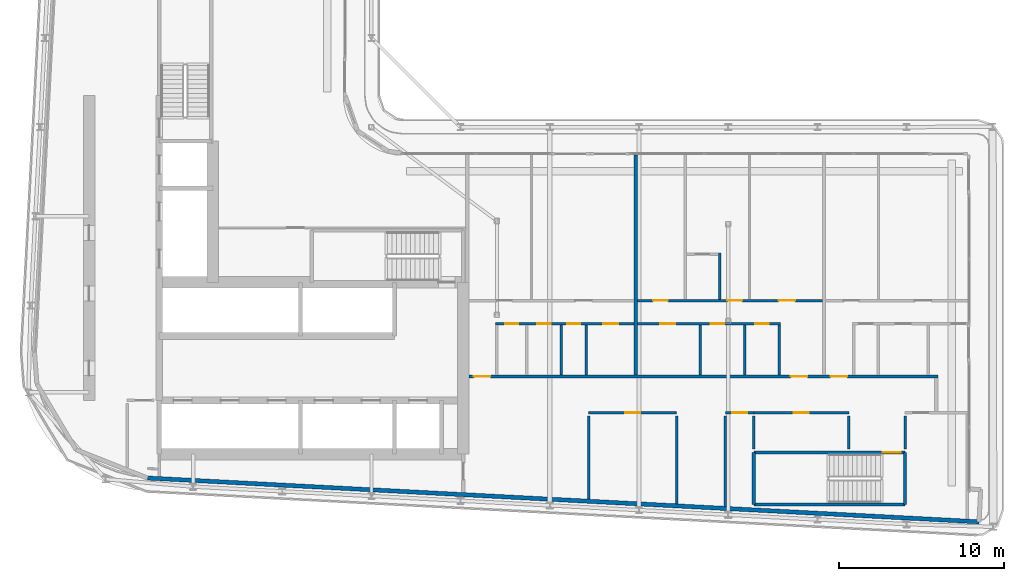
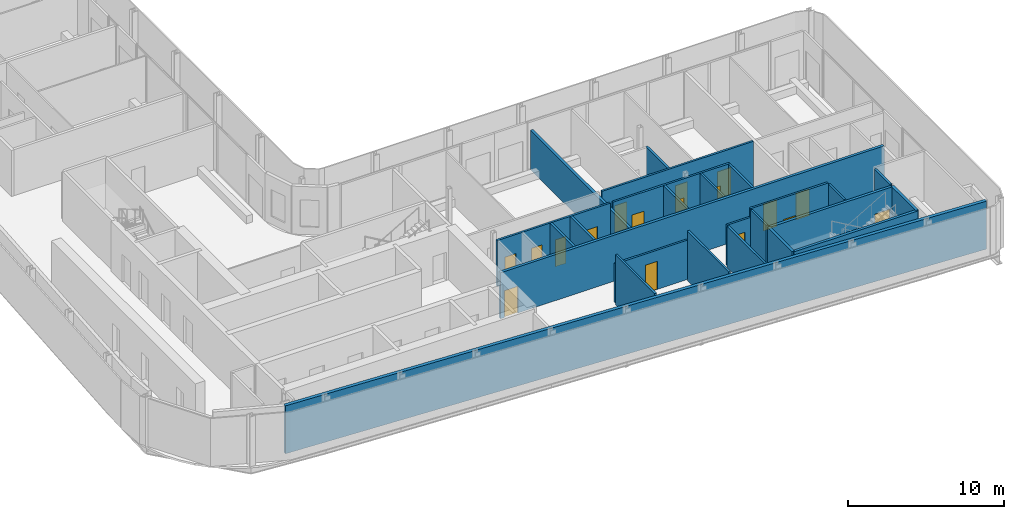
# One storey, part 12 of 23: 25 walls, 17 doors, 17 openings.
"""IFC4 building model written with IfcOpenShell, lengths in metres."""

from ifc_helpers import new_model, si_unit, direction, frame, frame_2d, origin, place, context, subcontext, project, spatial, rectangle, extrude, source, transform, mapped, material, layer, layer_set, type_object, element, fill, save


model = new_model("IFC4")

# Units and contexts
model_context = context("Model", 3, precision=1e-05, world=origin(), true_north=direction((0.0, 1.0)))
body_context = subcontext(model_context, "Body", "Model", "MODEL_VIEW")
ifc_project = project(units=[si_unit("LENGTHUNIT", "METRE"), si_unit("AREAUNIT", "SQUARE_METRE"), si_unit("VOLUMEUNIT", "CUBIC_METRE"), si_unit("PLANEANGLEUNIT", "RADIAN"), si_unit("MASSUNIT", "GRAM", prefix="KILO")], contexts=[model_context])

# Site, building, storey
site_placement = place(None, origin())
site = spatial("IfcSite", under=ifc_project, at=site_placement, CompositionType="ELEMENT")
building_placement = place(site_placement, origin())
building = spatial("IfcBuilding", under=site, at=building_placement, Name="Kheshtan School and Residences Tower", CompositionType="ELEMENT")
storey_placement = place(building_placement, frame((0.0, 0.0, 247.39990234375)))
storey = spatial("IfcBuildingStorey", under=building, at=storey_placement, Name="L58", CompositionType="ELEMENT", Elevation=247.39990234375)

# Wall, openings, doors
ifc_material_1 = material(Name="Gypsum board on steel studs with fire boards", Category="steel")
ifc_layer_1 = layer(ifc_material_1, 0.199951171875)
ifc_layer_set_1 = layer_set([ifc_layer_1], Name="Corridor wall 200")
wall_type_1 = type_object("IfcWallType", Name="Corridor wall 200", PredefinedType="PARTITIONING", material=ifc_layer_set_1)
wall_1_placement = place(storey_placement, frame((53.4990234375, 30.5, 0.0), z_axis=(0.0, 0.0, 1.0), x_axis=(1.0, 0.0, 0.0)))
wall_1 = element("IfcWall", 1, at=wall_1_placement, inside=storey, type_object=wall_type_1, Name="Partition L58-033", PredefinedType="PARTITIONING", context=body_context, shape_type="SweptSolid", body=[
    extrude(rectangle(XDim=28.40087890625, YDim=0.199951171875, at=frame_2d((14.200439453125, 0.0))), origin(), (0.0, 0.0, 1.0), 3.60009765625),
])
opening_1_placement = place(wall_1_placement, frame((0.301025390625, 0.0, 0.0)))
opening_1 = element("IfcOpeningElement", 2, at=opening_1_placement, cuts=wall_1, Name="Opening D58-003", PredefinedType="OPENING", context=body_context, shape_type="SweptSolid", body=[
    extrude(rectangle(XDim=1.0, YDim=2.10009765625, at=frame_2d((0.5, 1.050048828125))), frame((0.0, 0.10986328125, 0.0), z_axis=(0.0, -1.0, 0.0), x_axis=(1.0, 0.0, 0.0)), (0.0, 0.0, 1.0), 0.219970703125),
])
opening_2_placement = place(wall_1_placement, frame((19.5009765625, 0.0, 0.0)))
opening_2 = element("IfcOpeningElement", 3, at=opening_2_placement, cuts=wall_1, Name="Opening D58-011", PredefinedType="OPENING", context=body_context, shape_type="SweptSolid", body=[
    extrude(rectangle(XDim=1.0, YDim=2.10009765625, at=frame_2d((0.5, 1.050048828125))), frame((0.0, 0.10986328125, 0.0), z_axis=(0.0, -1.0, 0.0), x_axis=(1.0, 0.0, 0.0)), (0.0, 0.0, 1.0), 0.219970703125),
])
opening_3_placement = place(wall_1_placement, frame((21.90087890625, 0.0, 0.0)))
opening_3 = element("IfcOpeningElement", 4, at=opening_3_placement, cuts=wall_1, Name="Opening D58-018", PredefinedType="OPENING", context=body_context, shape_type="SweptSolid", body=[
    extrude(rectangle(XDim=1.0, YDim=2.10009765625, at=frame_2d((0.5, 1.050048828125))), frame((0.0, 0.10986328125, 0.0), z_axis=(0.0, -1.0, 0.0), x_axis=(1.0, 0.0, 0.0)), (0.0, 0.0, 1.0), 0.219970703125),
])
ifc_material_2 = material(Name="Steel-framed fire-resisting door leaf", Category="steel")
door_type_1 = type_object("IfcDoorType", Name="Fire door FD30S 1000 x 2100", OperationType="SINGLE_SWING_LEFT", PredefinedType="DOOR", material=ifc_material_2)
shared_shape_1 = source(origin(), body_context, "Body", "SweptSolid", [
    extrude(rectangle(XDim=1.0, YDim=2.10009765625, at=frame_2d((0.5, 1.050048828125))), frame((0.0, 0.02490234375, 0.0), z_axis=(0.0, -1.0, 0.0), x_axis=(1.0, 0.0, 0.0)), (0.0, 0.0, 1.0), 0.050048828125),
])
door_1_placement = place(opening_1_placement, origin())
door_1 = element("IfcDoor", 5, at=door_1_placement, inside=storey, type_object=door_type_1, Name="Door D58-003", OperationType="SINGLE_SWING_LEFT", OverallHeight=2.10009765625, OverallWidth=1.0, PredefinedType="DOOR", context=body_context, shape_type="MappedRepresentation", body=[
    mapped(shared_shape_1, transform((0.0, 0.0, 0.0), x_axis=(1.0, 0.0, 0.0), y_axis=(0.0, 1.0, 0.0), z_axis=(0.0, 0.0, 1.0), scale=1.0)),
])
fill(opening_1, door_1)
door_2_placement = place(opening_2_placement, origin())
door_2 = element("IfcDoor", 6, at=door_2_placement, inside=storey, type_object=door_type_1, Name="Door D58-011", OperationType="SINGLE_SWING_LEFT", OverallHeight=2.10009765625, OverallWidth=1.0, PredefinedType="DOOR", context=body_context, shape_type="MappedRepresentation", body=[
    mapped(shared_shape_1, transform((0.0, 0.0, 0.0), x_axis=(1.0, 0.0, 0.0), y_axis=(0.0, 1.0, 0.0), z_axis=(0.0, 0.0, 1.0), scale=1.0)),
])
fill(opening_2, door_2)
door_3_placement = place(opening_3_placement, origin())
door_3 = element("IfcDoor", 7, at=door_3_placement, inside=storey, type_object=door_type_1, Name="Door D58-018", OperationType="SINGLE_SWING_LEFT", OverallHeight=2.10009765625, OverallWidth=1.0, PredefinedType="DOOR", context=body_context, shape_type="MappedRepresentation", body=[
    mapped(shared_shape_1, transform((0.0, 0.0, 0.0), x_axis=(1.0, 0.0, 0.0), y_axis=(0.0, 1.0, 0.0), z_axis=(0.0, 0.0, 1.0), scale=1.0)),
])
fill(opening_3, door_3)

# Wall
ifc_material_3 = material(Name="Concrete C40/50 with ceramic cladding and mineral wool insulation", Category="concrete")
ifc_layer_2 = layer(ifc_material_3, 0.25)
ifc_layer_set_2 = layer_set([ifc_layer_2], Name="External wall 250 ceramic clad")
wall_type_2 = type_object("IfcWallType", Name="External wall 250 ceramic clad", PredefinedType="SOLIDWALL", material=ifc_layer_set_2)
wall_2_placement = place(storey_placement, frame((84.385986328125, 21.702880859375, 0.0), z_axis=(0.0, 0.0, 1.0), x_axis=(-0.998617508267, 0.05256493302, 0.0)))
element("IfcWall", 8, at=wall_2_placement, inside=storey, type_object=wall_type_2, Name="External wall L58 16", PredefinedType="SOLIDWALL", context=body_context, shape_type="SweptSolid", body=[
    extrude(rectangle(XDim=50.41650390625, YDim=0.25, at=frame_2d((25.208251953125, 0.0))), origin(), (0.0, 0.0, 1.0), 3.75),
])

# Wall, opening, door
ifc_material_4 = material(Name="Fire-board shaft wall system")
ifc_layer_3 = layer(ifc_material_4, 0.14990234375)
ifc_layer_set_3 = layer_set([ifc_layer_3], Name="Service room wall 150")
wall_type_3 = type_object("IfcWallType", Name="Service room wall 150", PredefinedType="PARTITIONING", material=ifc_layer_set_3)
wall_3_placement = place(storey_placement, frame((60.75, 28.300048828125, 0.0), z_axis=(0.0, 0.0, 1.0), x_axis=(1.0, 0.0, 0.0)))
wall_3 = element("IfcWall", 9, at=wall_3_placement, inside=storey, type_object=wall_type_3, Name="Service room wall", PredefinedType="PARTITIONING", context=body_context, shape_type="SweptSolid", body=[
    extrude(rectangle(XDim=5.323974609375, YDim=0.14990234375, at=frame_2d((2.662109375, 0.0))), origin(), (0.0, 0.0, 1.0), 3.072021484375),
])
opening_4_placement = place(wall_3_placement, frame((2.2119140625, 0.0, 0.0)))
opening_4 = element("IfcOpeningElement", 10, at=opening_4_placement, cuts=wall_3, Name="Opening SR90", PredefinedType="OPENING", context=body_context, shape_type="SweptSolid", body=[
    extrude(rectangle(XDim=0.89990234375, YDim=2.199951171875, at=frame_2d((0.449951171875, 1.10009765625))), frame((0.0, 0.0849609375, 0.0), z_axis=(0.0, -1.0, 0.0), x_axis=(1.0, 0.0, 0.0)), (0.0, 0.0, 1.0), 0.169921875),
])
ifc_material_5 = material(Name="Steel door leaf, galvanised", Category="steel")
door_type_2 = type_object("IfcDoorType", Name="Service room door 900 steel 90 min", OperationType="SINGLE_SWING_LEFT", PredefinedType="DOOR", material=ifc_material_5)
shared_shape_2 = source(origin(), body_context, "Body", "SweptSolid", [
    extrude(rectangle(XDim=0.89990234375, YDim=2.199951171875, at=frame_2d((0.449951171875, 1.10009765625))), frame((0.0, 0.02490234375, 0.0), z_axis=(0.0, -1.0, 0.0), x_axis=(1.0, 0.0, 0.0)), (0.0, 0.0, 1.0), 0.050048828125),
])
door_4_placement = place(opening_4_placement, origin())
door_4 = element("IfcDoor", 11, at=door_4_placement, inside=storey, type_object=door_type_2, Name="Service room door", OperationType="SINGLE_SWING_LEFT", OverallHeight=2.199951171875, OverallWidth=0.89990234375, PredefinedType="DOOR", context=body_context, shape_type="MappedRepresentation", body=[
    mapped(shared_shape_2, transform((0.0, 0.0, 0.0), x_axis=(1.0, 0.0, 0.0), y_axis=(0.0, 1.0, 0.0), z_axis=(0.0, 0.0, 1.0), scale=1.0)),
])
fill(opening_4, door_4)

# Walls
wall_4_placement = place(storey_placement, frame((60.75, 23.074951171875, 0.0), z_axis=(0.0, 0.0, 1.0), x_axis=(0.0, 1.0, 0.0)))
element("IfcWall", 12, at=wall_4_placement, inside=storey, type_object=wall_type_3, Name="Service room wall", PredefinedType="PARTITIONING", context=body_context, shape_type="SweptSolid", body=[
    extrude(rectangle(XDim=5.030029296875, YDim=0.14990234375, at=frame_2d((2.51513671875, 0.0))), origin(), (0.0, 0.0, 1.0), 3.900146484375),
])
wall_5_placement = place(storey_placement, frame((66.073974609375, 22.794921875, 0.0), z_axis=(0.0, 0.0, 1.0), x_axis=(0.0, 1.0, 0.0)))
element("IfcWall", 13, at=wall_5_placement, inside=storey, type_object=wall_type_3, Name="Service room wall", PredefinedType="PARTITIONING", context=body_context, shape_type="SweptSolid", body=[
    extrude(rectangle(XDim=5.31005859375, YDim=0.14990234375, at=frame_2d((2.655029296875, 0.0))), origin(), (0.0, 0.0, 1.0), 3.900146484375),
])

# Wall, opening, door
wall_6_placement = place(storey_placement, frame((69.029052734375, 28.300048828125, 0.0), z_axis=(0.0, 0.0, 1.0), x_axis=(1.0, 0.0, 0.0)))
wall_6 = element("IfcWall", 14, at=wall_6_placement, inside=storey, type_object=wall_type_3, Name="Service room wall", PredefinedType="PARTITIONING", context=body_context, shape_type="SweptSolid", body=[
    extrude(rectangle(XDim=1.720947265625, YDim=0.14990234375, at=frame_2d((0.8603515625, 0.0))), origin(), (0.0, 0.0, 1.0), 3.217041015625),
])
opening_5_placement = place(wall_6_placement, frame((0.410888671875, 0.0, 0.0)))
opening_5 = element("IfcOpeningElement", 15, at=opening_5_placement, cuts=wall_6, Name="Opening SR90", PredefinedType="OPENING", context=body_context, shape_type="SweptSolid", body=[
    extrude(rectangle(XDim=0.89990234375, YDim=2.199951171875, at=frame_2d((0.449951171875, 1.10009765625))), frame((0.0, 0.0849609375, 0.0), z_axis=(0.0, -1.0, 0.0), x_axis=(1.0, 0.0, 0.0)), (0.0, 0.0, 1.0), 0.169921875),
])
door_5_placement = place(opening_5_placement, origin())
door_5 = element("IfcDoor", 16, at=door_5_placement, inside=storey, type_object=door_type_2, Name="Service room door", OperationType="SINGLE_SWING_LEFT", OverallHeight=2.199951171875, OverallWidth=0.89990234375, PredefinedType="DOOR", context=body_context, shape_type="MappedRepresentation", body=[
    mapped(shared_shape_2, transform((0.0, 0.0, 0.0), x_axis=(1.0, 0.0, 0.0), y_axis=(0.0, 1.0, 0.0), z_axis=(0.0, 0.0, 1.0), scale=1.0)),
])
fill(opening_5, door_5)

# Walls
wall_7_placement = place(storey_placement, frame((69.029052734375, 22.638916015625, 0.0), z_axis=(0.0, 0.0, 1.0), x_axis=(0.0, 1.0, 0.0)))
element("IfcWall", 17, at=wall_7_placement, inside=storey, type_object=wall_type_3, Name="Service room wall", PredefinedType="PARTITIONING", context=body_context, shape_type="SweptSolid", body=[
    extrude(rectangle(XDim=5.466064453125, YDim=0.14990234375, at=frame_2d((2.73291015625, 0.0))), origin(), (0.0, 0.0, 1.0), 3.217041015625),
])
wall_8_placement = place(storey_placement, frame((70.75, 26.1201171875, 0.0), z_axis=(0.0, 0.0, 1.0), x_axis=(0.0, 1.0, 0.0)))
element("IfcWall", 18, at=wall_8_placement, inside=storey, type_object=wall_type_3, Name="Service room wall", PredefinedType="PARTITIONING", context=body_context, shape_type="SweptSolid", body=[
    extrude(rectangle(XDim=1.98486328125, YDim=0.14990234375, at=frame_2d((0.992431640625, 0.0))), origin(), (0.0, 0.0, 1.0), 3.900146484375),
])

# Wall, opening, door
wall_9_placement = place(storey_placement, frame((70.75, 28.300048828125, 0.0), z_axis=(0.0, 0.0, 1.0), x_axis=(1.0, 0.0, 0.0)))
wall_9 = element("IfcWall", 19, at=wall_9_placement, inside=storey, type_object=wall_type_3, Name="Service room wall", PredefinedType="PARTITIONING", context=body_context, shape_type="SweptSolid", body=[
    extrude(rectangle(XDim=5.760009765625, YDim=0.14990234375, at=frame_2d((2.8798828125, 0.0))), origin(), (0.0, 0.0, 1.0), 3.900146484375),
])
opening_6_placement = place(wall_9_placement, frame((2.429931640625, 0.0, 0.0)))
opening_6 = element("IfcOpeningElement", 20, at=opening_6_placement, cuts=wall_9, Name="Opening SR90", PredefinedType="OPENING", context=body_context, shape_type="SweptSolid", body=[
    extrude(rectangle(XDim=0.89990234375, YDim=2.199951171875, at=frame_2d((0.449951171875, 1.10009765625))), frame((0.0, 0.0849609375, 0.0), z_axis=(0.0, -1.0, 0.0), x_axis=(1.0, 0.0, 0.0)), (0.0, 0.0, 1.0), 0.169921875),
])
door_6_placement = place(opening_6_placement, origin())
door_6 = element("IfcDoor", 21, at=door_6_placement, inside=storey, type_object=door_type_2, Name="Service room door", OperationType="SINGLE_SWING_LEFT", OverallHeight=2.199951171875, OverallWidth=0.89990234375, PredefinedType="DOOR", context=body_context, shape_type="MappedRepresentation", body=[
    mapped(shared_shape_2, transform((0.0, 0.0, 0.0), x_axis=(1.0, 0.0, 0.0), y_axis=(0.0, 1.0, 0.0), z_axis=(0.0, 0.0, 1.0), scale=1.0)),
])
fill(opening_6, door_6)

# Walls
for number, where, z_axis, x_axis, name in (
    (22, (76.510009765625, 26.1201171875, 0.0), (0.0, 0.0, 1.0), (0.0, 1.0, 0.0), "Service room wall"),
    (23, (79.909912109375, 26.1201171875, 0.0), (0.0, 0.0, 1.0), (0.0, 1.0, 0.0), "Service room wall"),
):
    element("IfcWall", number, at=place(storey_placement, frame(where, z_axis=z_axis, x_axis=x_axis)), inside=storey, type_object=wall_type_3, Name=name, PredefinedType="PARTITIONING", context=body_context, shape_type="SweptSolid", body=[
        extrude(rectangle(XDim=1.98486328125, YDim=0.14990234375, at=frame_2d((0.992431640625, 0.0))), origin(), (0.0, 0.0, 1.0), 3.900146484375),
    ])
ifc_material_6 = material(Name="Concrete C40/50", Category="concrete")
ifc_layer_4 = layer(ifc_material_6, 0.199951171875)
ifc_layer_set_4 = layer_set([ifc_layer_4], Name="Stair enclosure wall 200 Concrete C40/50")
wall_type_4 = type_object("IfcWallType", Name="Stair enclosure wall 200 Concrete C40/50", PredefinedType="SHEAR", material=ifc_layer_set_4)
wall_10_placement = place(storey_placement, frame((70.75, 22.75, 0.0), z_axis=(0.0, 0.0, 1.0), x_axis=(1.0, 0.0, 0.0)))
element("IfcWall", 24, at=wall_10_placement, inside=storey, type_object=wall_type_4, Name="Stair enclosure wall ST5", PredefinedType="SHEAR", context=body_context, shape_type="SweptSolid", body=[
    extrude(rectangle(XDim=9.159912109375, YDim=0.199951171875, at=frame_2d((4.580078125, 0.0))), origin(), (0.0, 0.0, 1.0), 3.900146484375),
])

# Wall, opening, door
wall_11_placement = place(storey_placement, frame((70.75, 25.89990234375, 0.0), z_axis=(0.0, 0.0, 1.0), x_axis=(1.0, 0.0, 0.0)))
wall_11 = element("IfcWall", 25, at=wall_11_placement, inside=storey, type_object=wall_type_4, Name="Stair enclosure wall ST5", PredefinedType="SHEAR", context=body_context, shape_type="SweptSolid", body=[
    extrude(rectangle(XDim=9.159912109375, YDim=0.199951171875, at=frame_2d((4.580078125, 0.0))), origin(), (0.0, 0.0, 1.0), 3.900146484375),
])
opening_7_placement = place(wall_11_placement, frame((7.81005859375, 0.0, 0.0)))
opening_7 = element("IfcOpeningElement", 26, at=opening_7_placement, cuts=wall_11, Name="Opening ST5D", PredefinedType="OPENING", context=body_context, shape_type="SweptSolid", body=[
    extrude(rectangle(XDim=1.10009765625, YDim=2.199951171875, at=frame_2d((0.550048828125, 1.10009765625))), frame((0.0, 0.10986328125, 0.0), z_axis=(0.0, -1.0, 0.0), x_axis=(1.0, 0.0, 0.0)), (0.0, 0.0, 1.0), 0.219970703125),
])
door_type_3 = type_object("IfcDoorType", Name="Stair door 1100 steel 90 min", OperationType="SINGLE_SWING_LEFT", PredefinedType="DOOR", material=ifc_material_5)
shared_shape_3 = source(origin(), body_context, "Body", "SweptSolid", [
    extrude(rectangle(XDim=1.10009765625, YDim=2.199951171875, at=frame_2d((0.550048828125, 1.10009765625))), frame((0.0, 0.02490234375, 0.0), z_axis=(0.0, -1.0, 0.0), x_axis=(1.0, 0.0, 0.0)), (0.0, 0.0, 1.0), 0.050048828125),
])
door_7_placement = place(opening_7_placement, origin())
door_7 = element("IfcDoor", 27, at=door_7_placement, inside=storey, type_object=door_type_3, Name="Stair ST5 door", OperationType="SINGLE_SWING_LEFT", OverallHeight=2.199951171875, OverallWidth=1.10009765625, PredefinedType="DOOR", context=body_context, shape_type="MappedRepresentation", body=[
    mapped(shared_shape_3, transform((0.0, 0.0, 0.0), x_axis=(1.0, 0.0, 0.0), y_axis=(0.0, 1.0, 0.0), z_axis=(0.0, 0.0, 1.0), scale=1.0)),
])
fill(opening_7, door_7)

# Walls
for number, where, z_axis, x_axis, name in (
    (28, (70.75, 22.75, 0.0), (0.0, 0.0, 1.0), (0.0, 1.0, 0.0), "Stair enclosure wall ST5"),
    (29, (79.909912109375, 22.75, 0.0), (0.0, 0.0, 1.0), (0.0, 1.0, 0.0), "Stair enclosure wall ST5"),
):
    element("IfcWall", number, at=place(storey_placement, frame(where, z_axis=z_axis, x_axis=x_axis)), inside=storey, type_object=wall_type_4, Name=name, PredefinedType="SHEAR", context=body_context, shape_type="SweptSolid", body=[
        extrude(rectangle(XDim=3.14990234375, YDim=0.199951171875, at=frame_2d((1.574951171875, 0.0))), origin(), (0.0, 0.0, 1.0), 3.900146484375),
    ])
ifc_material_7 = material(Name="Twin gypsum board on steel studs with mineral wool", Category="steel")
ifc_layer_5 = layer(ifc_material_7, 0.199951171875)
ifc_layer_set_5 = layer_set([ifc_layer_5], Name="Unit demising wall 200")
wall_type_5 = type_object("IfcWallType", Name="Unit demising wall 200", PredefinedType="PARTITIONING", material=ifc_layer_set_5)
wall_12_placement = place(storey_placement, frame((63.60009765625, 30.60009765625, 0.0), z_axis=(0.0, 0.0, 1.0), x_axis=(0.0, 1.0, 0.0)))
element("IfcWall", 30, at=wall_12_placement, inside=storey, type_object=wall_type_5, Name="Partition L58-041", PredefinedType="PARTITIONING", context=body_context, shape_type="SweptSolid", body=[
    extrude(rectangle(XDim=13.2998046875, YDim=0.199951171875, at=frame_2d((6.64990234375, 0.0))), origin(), (0.0, 0.0, 1.0), 3.072021484375),
])

# Wall, openings, doors
ifc_material_8 = material(Name="Moisture-resistant gypsum board on steel studs", Category="steel")
ifc_layer_6 = layer(ifc_material_8, 0.14990234375)
ifc_layer_set_6 = layer_set([ifc_layer_6], Name="Wet-room partition 150")
wall_type_6 = type_object("IfcWallType", Name="Wet-room partition 150", PredefinedType="PARTITIONING", material=ifc_layer_set_6)
wall_13_placement = place(storey_placement, frame((55.125, 33.699951171875, 0.0), z_axis=(0.0, 0.0, 1.0), x_axis=(1.0, 0.0, 0.0)))
wall_13 = element("IfcWall", 31, at=wall_13_placement, inside=storey, type_object=wall_type_6, Name="Partition L58-035", PredefinedType="PARTITIONING", context=body_context, shape_type="SweptSolid", body=[
    extrude(rectangle(XDim=8.375, YDim=0.14990234375, at=frame_2d((4.1875, 0.0))), origin(), (0.0, 0.0, 1.0), 3.60009765625),
])
opening_8_placement = place(wall_13_placement, frame((2.52490234375, 0.0, 0.0)))
opening_8 = element("IfcOpeningElement", 32, at=opening_8_placement, cuts=wall_13, Name="Opening D58-001", PredefinedType="OPENING", context=body_context, shape_type="SweptSolid", body=[
    extrude(rectangle(XDim=0.800048828125, YDim=2.10009765625, at=frame_2d((0.39990234375, 1.050048828125))), frame((0.0, 0.0849609375, 0.0), z_axis=(0.0, -1.0, 0.0), x_axis=(1.0, 0.0, 0.0)), (0.0, 0.0, 1.0), 0.169921875),
])
opening_9_placement = place(wall_13_placement, frame((6.52490234375, 0.0, 0.0)))
opening_9 = element("IfcOpeningElement", 33, at=opening_9_placement, cuts=wall_13, Name="Opening D58-004", PredefinedType="OPENING", context=body_context, shape_type="SweptSolid", body=[
    extrude(rectangle(XDim=0.89990234375, YDim=2.10009765625, at=frame_2d((0.449951171875, 1.050048828125))), frame((0.0, 0.0849609375, 0.0), z_axis=(0.0, -1.0, 0.0), x_axis=(1.0, 0.0, 0.0)), (0.0, 0.0, 1.0), 0.169921875),
])
opening_10_placement = place(wall_13_placement, frame((0.574951171875, 0.0, 0.0)))
opening_10 = element("IfcOpeningElement", 34, at=opening_10_placement, cuts=wall_13, Name="Opening D58-005", PredefinedType="OPENING", context=body_context, shape_type="SweptSolid", body=[
    extrude(rectangle(XDim=0.800048828125, YDim=2.10009765625, at=frame_2d((0.39990234375, 1.050048828125))), frame((0.0, 0.0849609375, 0.0), z_axis=(0.0, -1.0, 0.0), x_axis=(1.0, 0.0, 0.0)), (0.0, 0.0, 1.0), 0.169921875),
])
opening_11_placement = place(wall_13_placement, frame((4.324951171875, 0.0, 0.0)))
opening_11 = element("IfcOpeningElement", 35, at=opening_11_placement, cuts=wall_13, Name="Opening D58-007", PredefinedType="OPENING", context=body_context, shape_type="SweptSolid", body=[
    extrude(rectangle(XDim=0.800048828125, YDim=2.10009765625, at=frame_2d((0.39990234375, 1.050048828125))), frame((0.0, 0.0849609375, 0.0), z_axis=(0.0, -1.0, 0.0), x_axis=(1.0, 0.0, 0.0)), (0.0, 0.0, 1.0), 0.169921875),
])
ifc_material_9 = material(Name="Veneered timber door leaf", Category="wood")
door_type_4 = type_object("IfcDoorType", Name="Door 800 x 2100", OperationType="SINGLE_SWING_LEFT", PredefinedType="DOOR", material=ifc_material_9)
shared_shape_4 = source(origin(), body_context, "Body", "SweptSolid", [
    extrude(rectangle(XDim=0.800048828125, YDim=2.10009765625, at=frame_2d((0.39990234375, 1.050048828125))), frame((0.0, 0.02490234375, 0.0), z_axis=(0.0, -1.0, 0.0), x_axis=(1.0, 0.0, 0.0)), (0.0, 0.0, 1.0), 0.050048828125),
])
door_8_placement = place(opening_8_placement, origin())
door_8 = element("IfcDoor", 36, at=door_8_placement, inside=storey, type_object=door_type_4, Name="Door D58-001", OperationType="SINGLE_SWING_RIGHT", OverallHeight=2.10009765625, OverallWidth=0.800048828125, PredefinedType="DOOR", context=body_context, shape_type="MappedRepresentation", body=[
    mapped(shared_shape_4, transform((0.0, 0.0, 0.0), x_axis=(1.0, 0.0, 0.0), y_axis=(0.0, 1.0, 0.0), z_axis=(0.0, 0.0, 1.0), scale=1.0)),
])
fill(opening_8, door_8)
door_9_placement = place(opening_10_placement, origin())
door_9 = element("IfcDoor", 37, at=door_9_placement, inside=storey, type_object=door_type_4, Name="Door D58-005", OperationType="SINGLE_SWING_LEFT", OverallHeight=2.10009765625, OverallWidth=0.800048828125, PredefinedType="DOOR", context=body_context, shape_type="MappedRepresentation", body=[
    mapped(shared_shape_4, transform((0.0, 0.0, 0.0), x_axis=(1.0, 0.0, 0.0), y_axis=(0.0, 1.0, 0.0), z_axis=(0.0, 0.0, 1.0), scale=1.0)),
])
fill(opening_10, door_9)
door_10_placement = place(opening_11_placement, origin())
door_10 = element("IfcDoor", 38, at=door_10_placement, inside=storey, type_object=door_type_4, Name="Door D58-007", OperationType="SINGLE_SWING_RIGHT", OverallHeight=2.10009765625, OverallWidth=0.800048828125, PredefinedType="DOOR", context=body_context, shape_type="MappedRepresentation", body=[
    mapped(shared_shape_4, transform((0.0, 0.0, 0.0), x_axis=(1.0, 0.0, 0.0), y_axis=(0.0, 1.0, 0.0), z_axis=(0.0, 0.0, 1.0), scale=1.0)),
])
fill(opening_11, door_10)
door_type_5 = type_object("IfcDoorType", Name="Door 900 x 2100", OperationType="SINGLE_SWING_LEFT", PredefinedType="DOOR", material=ifc_material_9)
shared_shape_5 = source(origin(), body_context, "Body", "SweptSolid", [
    extrude(rectangle(XDim=0.89990234375, YDim=2.10009765625, at=frame_2d((0.449951171875, 1.050048828125))), frame((0.0, 0.02490234375, 0.0), z_axis=(0.0, -1.0, 0.0), x_axis=(1.0, 0.0, 0.0)), (0.0, 0.0, 1.0), 0.050048828125),
])
door_11_placement = place(opening_9_placement, origin())
door_11 = element("IfcDoor", 39, at=door_11_placement, inside=storey, type_object=door_type_5, Name="Door D58-004", OperationType="SINGLE_SWING_RIGHT", OverallHeight=2.10009765625, OverallWidth=0.89990234375, PredefinedType="DOOR", context=body_context, shape_type="MappedRepresentation", body=[
    mapped(shared_shape_5, transform((0.0, 0.0, 0.0), x_axis=(1.0, 0.0, 0.0), y_axis=(0.0, 1.0, 0.0), z_axis=(0.0, 0.0, 1.0), scale=1.0)),
])
fill(opening_9, door_11)

# Walls
for number, where, z_axis, x_axis, name in (
    (40, (59.10009765625, 30.60009765625, 0.0), (0.0, 0.0, 1.0), (0.0, 1.0, 0.0), "Partition L58-039"),
    (41, (60.60009765625, 30.60009765625, 0.0), (0.0, 0.0, 1.0), (0.0, 1.0, 0.0), "Partition L58-040"),
):
    element("IfcWall", number, at=place(storey_placement, frame(where, z_axis=z_axis, x_axis=x_axis)), inside=storey, type_object=wall_type_6, Name=name, PredefinedType="PARTITIONING", context=body_context, shape_type="SweptSolid", body=[
        extrude(rectangle(XDim=3.02490234375, YDim=0.14990234375, at=frame_2d((1.512451171875, 0.0))), origin(), (0.0, 0.0, 1.0), 3.60009765625),
    ])

# Wall, openings, doors
wall_14_placement = place(storey_placement, frame((63.699951171875, 33.699951171875, 0.0), z_axis=(0.0, 0.0, 1.0), x_axis=(1.0, 0.0, 0.0)))
wall_14 = element("IfcWall", 42, at=wall_14_placement, inside=storey, type_object=wall_type_6, Name="Partition L58-042", PredefinedType="PARTITIONING", context=body_context, shape_type="SweptSolid", body=[
    extrude(rectangle(XDim=8.675048828125, YDim=0.14990234375, at=frame_2d((4.33740234375, 0.0))), origin(), (0.0, 0.0, 1.0), 3.60009765625),
])
opening_12_placement = place(wall_14_placement, frame((4.449951171875, 0.0, 0.0)))
opening_12 = element("IfcOpeningElement", 43, at=opening_12_placement, cuts=wall_14, Name="Opening D58-008", PredefinedType="OPENING", context=body_context, shape_type="SweptSolid", body=[
    extrude(rectangle(XDim=0.800048828125, YDim=2.10009765625, at=frame_2d((0.39990234375, 1.050048828125))), frame((0.0, 0.0849609375, 0.0), z_axis=(0.0, -1.0, 0.0), x_axis=(1.0, 0.0, 0.0)), (0.0, 0.0, 1.0), 0.169921875),
])
opening_13_placement = place(wall_14_placement, frame((1.39990234375, 0.0, 0.0)))
opening_13 = element("IfcOpeningElement", 44, at=opening_13_placement, cuts=wall_14, Name="Opening D58-012", PredefinedType="OPENING", context=body_context, shape_type="SweptSolid", body=[
    extrude(rectangle(XDim=0.89990234375, YDim=2.10009765625, at=frame_2d((0.449951171875, 1.050048828125))), frame((0.0, 0.0849609375, 0.0), z_axis=(0.0, -1.0, 0.0), x_axis=(1.0, 0.0, 0.0)), (0.0, 0.0, 1.0), 0.169921875),
])
opening_14_placement = place(wall_14_placement, frame((7.14990234375, 0.0, 0.0)))
opening_14 = element("IfcOpeningElement", 45, at=opening_14_placement, cuts=wall_14, Name="Opening D58-015", PredefinedType="OPENING", context=body_context, shape_type="SweptSolid", body=[
    extrude(rectangle(XDim=0.800048828125, YDim=2.10009765625, at=frame_2d((0.39990234375, 1.050048828125))), frame((0.0, 0.0849609375, 0.0), z_axis=(0.0, -1.0, 0.0), x_axis=(1.0, 0.0, 0.0)), (0.0, 0.0, 1.0), 0.169921875),
])
door_12_placement = place(opening_12_placement, origin())
door_12 = element("IfcDoor", 46, at=door_12_placement, inside=storey, type_object=door_type_4, Name="Door D58-008", OperationType="SINGLE_SWING_RIGHT", OverallHeight=2.10009765625, OverallWidth=0.800048828125, PredefinedType="DOOR", context=body_context, shape_type="MappedRepresentation", body=[
    mapped(shared_shape_4, transform((0.0, 0.0, 0.0), x_axis=(1.0, 0.0, 0.0), y_axis=(0.0, 1.0, 0.0), z_axis=(0.0, 0.0, 1.0), scale=1.0)),
])
fill(opening_12, door_12)
door_13_placement = place(opening_14_placement, origin())
door_13 = element("IfcDoor", 47, at=door_13_placement, inside=storey, type_object=door_type_4, Name="Door D58-015", OperationType="SINGLE_SWING_LEFT", OverallHeight=2.10009765625, OverallWidth=0.800048828125, PredefinedType="DOOR", context=body_context, shape_type="MappedRepresentation", body=[
    mapped(shared_shape_4, transform((0.0, 0.0, 0.0), x_axis=(1.0, 0.0, 0.0), y_axis=(0.0, 1.0, 0.0), z_axis=(0.0, 0.0, 1.0), scale=1.0)),
])
fill(opening_14, door_13)
door_14_placement = place(opening_13_placement, origin())
door_14 = element("IfcDoor", 48, at=door_14_placement, inside=storey, type_object=door_type_5, Name="Door D58-012", OperationType="SINGLE_SWING_LEFT", OverallHeight=2.10009765625, OverallWidth=0.89990234375, PredefinedType="DOOR", context=body_context, shape_type="MappedRepresentation", body=[
    mapped(shared_shape_5, transform((0.0, 0.0, 0.0), x_axis=(1.0, 0.0, 0.0), y_axis=(0.0, 1.0, 0.0), z_axis=(0.0, 0.0, 1.0), scale=1.0)),
])
fill(opening_13, door_14)

wall_15_placement = place(storey_placement, frame((63.699951171875, 35.10009765625, 0.0), z_axis=(0.0, 0.0, 1.0), x_axis=(1.0, 0.0, 0.0)))
wall_15 = element("IfcWall", 49, at=wall_15_placement, inside=storey, type_object=wall_type_6, Name="Partition L58-043", PredefinedType="PARTITIONING", context=body_context, shape_type="SweptSolid", body=[
    extrude(rectangle(XDim=11.199951171875, YDim=0.14990234375, at=frame_2d((5.60009765625, 0.0))), origin(), (0.0, 0.0, 1.0), 3.60009765625),
])
opening_15_placement = place(wall_15_placement, frame((0.949951171875, 0.0, 0.0)))
opening_15 = element("IfcOpeningElement", 50, at=opening_15_placement, cuts=wall_15, Name="Opening D58-009", PredefinedType="OPENING", context=body_context, shape_type="SweptSolid", body=[
    extrude(rectangle(XDim=0.89990234375, YDim=2.10009765625, at=frame_2d((0.449951171875, 1.050048828125))), frame((0.0, 0.0849609375, 0.0), z_axis=(0.0, -1.0, 0.0), x_axis=(1.0, 0.0, 0.0)), (0.0, 0.0, 1.0), 0.169921875),
])
opening_16_placement = place(wall_15_placement, frame((8.550048828125, 0.0, 0.0)))
opening_16 = element("IfcOpeningElement", 51, at=opening_16_placement, cuts=wall_15, Name="Opening D58-013", PredefinedType="OPENING", context=body_context, shape_type="SweptSolid", body=[
    extrude(rectangle(XDim=1.0, YDim=2.10009765625, at=frame_2d((0.5, 1.050048828125))), frame((0.0, 0.0849609375, 0.0), z_axis=(0.0, -1.0, 0.0), x_axis=(1.0, 0.0, 0.0)), (0.0, 0.0, 1.0), 0.169921875),
])
opening_17_placement = place(wall_15_placement, frame((5.449951171875, 0.0, 0.0)))
opening_17 = element("IfcOpeningElement", 52, at=opening_17_placement, cuts=wall_15, Name="Opening D58-014", PredefinedType="OPENING", context=body_context, shape_type="SweptSolid", body=[
    extrude(rectangle(XDim=0.89990234375, YDim=2.10009765625, at=frame_2d((0.449951171875, 1.050048828125))), frame((0.0, 0.0849609375, 0.0), z_axis=(0.0, -1.0, 0.0), x_axis=(1.0, 0.0, 0.0)), (0.0, 0.0, 1.0), 0.169921875),
])
door_type_6 = type_object("IfcDoorType", Name="Door 1000 x 2100", OperationType="SINGLE_SWING_LEFT", PredefinedType="DOOR", material=ifc_material_9)
shared_shape_6 = source(origin(), body_context, "Body", "SweptSolid", [
    extrude(rectangle(XDim=1.0, YDim=2.10009765625, at=frame_2d((0.5, 1.050048828125))), frame((0.0, 0.02490234375, 0.0), z_axis=(0.0, -1.0, 0.0), x_axis=(1.0, 0.0, 0.0)), (0.0, 0.0, 1.0), 0.050048828125),
])
door_15_placement = place(opening_16_placement, origin())
door_15 = element("IfcDoor", 53, at=door_15_placement, inside=storey, type_object=door_type_6, Name="Door D58-013", OperationType="SINGLE_SWING_LEFT", OverallHeight=2.10009765625, OverallWidth=1.0, PredefinedType="DOOR", context=body_context, shape_type="MappedRepresentation", body=[
    mapped(shared_shape_6, transform((0.0, 0.0, 0.0), x_axis=(1.0, 0.0, 0.0), y_axis=(0.0, 1.0, 0.0), z_axis=(0.0, 0.0, 1.0), scale=1.0)),
])
fill(opening_16, door_15)
door_16_placement = place(opening_15_placement, origin())
door_16 = element("IfcDoor", 54, at=door_16_placement, inside=storey, type_object=door_type_5, Name="Door D58-009", OperationType="SINGLE_SWING_RIGHT", OverallHeight=2.10009765625, OverallWidth=0.89990234375, PredefinedType="DOOR", context=body_context, shape_type="MappedRepresentation", body=[
    mapped(shared_shape_5, transform((0.0, 0.0, 0.0), x_axis=(1.0, 0.0, 0.0), y_axis=(0.0, 1.0, 0.0), z_axis=(0.0, 0.0, 1.0), scale=1.0)),
])
fill(opening_15, door_16)
door_17_placement = place(opening_17_placement, origin())
door_17 = element("IfcDoor", 55, at=door_17_placement, inside=storey, type_object=door_type_5, Name="Door D58-014", OperationType="SINGLE_SWING_LEFT", OverallHeight=2.10009765625, OverallWidth=0.89990234375, PredefinedType="DOOR", context=body_context, shape_type="MappedRepresentation", body=[
    mapped(shared_shape_5, transform((0.0, 0.0, 0.0), x_axis=(1.0, 0.0, 0.0), y_axis=(0.0, 1.0, 0.0), z_axis=(0.0, 0.0, 1.0), scale=1.0)),
])
fill(opening_17, door_17)

# Walls
wall_16_placement = place(storey_placement, frame((67.5, 30.60009765625, 0.0), z_axis=(0.0, 0.0, 1.0), x_axis=(0.0, 1.0, 0.0)))
element("IfcWall", 56, at=wall_16_placement, inside=storey, type_object=wall_type_6, Name="Partition L58-046", PredefinedType="PARTITIONING", context=body_context, shape_type="SweptSolid", body=[
    extrude(rectangle(XDim=3.02490234375, YDim=0.14990234375, at=frame_2d((1.512451171875, 0.0))), origin(), (0.0, 0.0, 1.0), 3.60009765625),
])
wall_17_placement = place(storey_placement, frame((68.699951171875, 35.175048828125, 0.0), z_axis=(0.0, 0.0, 1.0), x_axis=(0.0, 1.0, 0.0)))
element("IfcWall", 57, at=wall_17_placement, inside=storey, type_object=wall_type_6, Name="Partition L58-047", PredefinedType="PARTITIONING", context=body_context, shape_type="SweptSolid", body=[
    extrude(rectangle(XDim=2.800048828125, YDim=0.14990234375, at=frame_2d((1.39990234375, 0.0))), origin(), (0.0, 0.0, 1.0), 3.60009765625),
])
for number, where, z_axis, x_axis, name in (
    (58, (70.199951171875, 30.60009765625, 0.0), (0.0, 0.0, 1.0), (0.0, 1.0, 0.0), "Partition L58-048"),
    (59, (72.300048828125, 30.60009765625, 0.0), (0.0, 0.0, 1.0), (0.0, 1.0, 0.0), "Partition L58-050"),
):
    element("IfcWall", number, at=place(storey_placement, frame(where, z_axis=z_axis, x_axis=x_axis)), inside=storey, type_object=wall_type_6, Name=name, PredefinedType="PARTITIONING", context=body_context, shape_type="SweptSolid", body=[
        extrude(rectangle(XDim=3.02490234375, YDim=0.14990234375, at=frame_2d((1.512451171875, 0.0))), origin(), (0.0, 0.0, 1.0), 3.60009765625),
    ])

save(model, "model.ifc")
